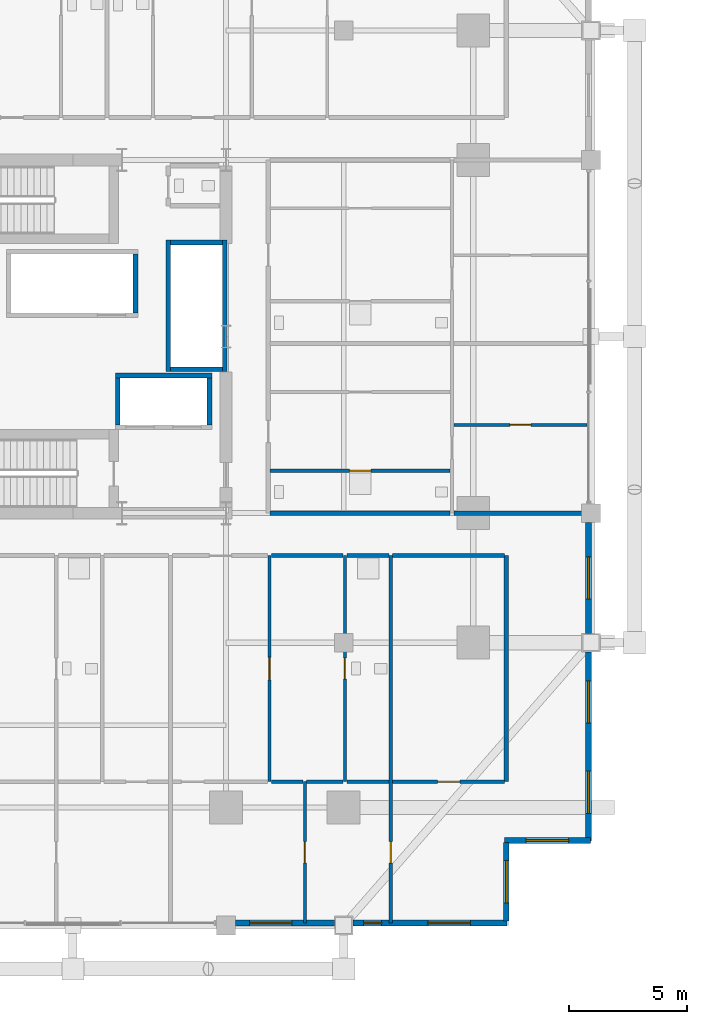
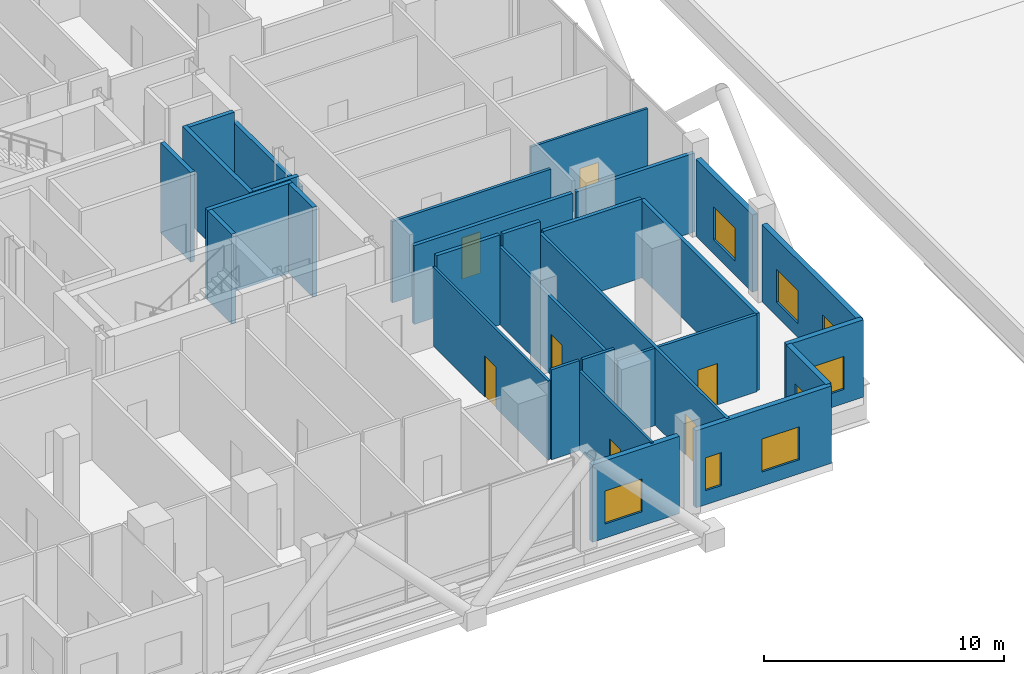
# One storey, part 25 of 33: 30 walls, 8 windows, 7 doors, 15 openings.
"""IFC4 building model written with IfcOpenShell, lengths in metres."""

from ifc_helpers import new_model, si_unit, direction, frame, frame_2d, origin, place, context, subcontext, project, spatial, rectangle, extrude, material, layer, layer_set, type_object, element, fill, save


model = new_model("IFC4")

# Units and contexts
model_context = context("Model", 3, precision=1e-05, world=origin(), true_north=direction((0.0, 1.0)))
body_context = subcontext(model_context, "Body", "Model", "MODEL_VIEW")
ifc_project = project(units=[si_unit("LENGTHUNIT", "METRE"), si_unit("AREAUNIT", "SQUARE_METRE"), si_unit("VOLUMEUNIT", "CUBIC_METRE"), si_unit("PLANEANGLEUNIT", "RADIAN"), si_unit("MASSUNIT", "GRAM", prefix="KILO")], contexts=[model_context])

# Site, building, storey
site_placement = place(None, origin())
site = spatial("IfcSite", under=ifc_project, at=site_placement, CompositionType="ELEMENT")
building_placement = place(site_placement, origin())
building = spatial("IfcBuilding", under=site, at=building_placement, Name="Barlavira Tower and Art Museum", CompositionType="ELEMENT")
storey_placement = place(building_placement, frame((0.0, 0.0, 27.60009765625)))
storey = spatial("IfcBuildingStorey", under=building, at=storey_placement, Name="L05", CompositionType="ELEMENT", Elevation=27.60009765625)

# Wall, opening, door
ifc_material_1 = material(Name="Gypsum acoustic stud partition", Category="gypsum")
ifc_layer_1 = layer(ifc_material_1, 0.1201171875, Name="Gypsum acoustic stud partition")
ifc_layer_set_1 = layer_set([ifc_layer_1], Name="Gypsum acoustic stud partition")
wall_type_1 = type_object("IfcWallType", Name="Apartment Internal Acoustic Partition 120", PredefinedType="PARTITIONING", material=ifc_layer_set_1)
wall_1_placement = place(storey_placement, frame((8.35009765625, -18.89990234375, 0.0), z_axis=(0.0, 0.0, 1.0), x_axis=(0.0, 1.0, 0.0)))
wall_1 = element("IfcWall", 1, at=wall_1_placement, inside=storey, type_object=wall_type_1, Name="L05 Partition Wall 24", PredefinedType="PARTITIONING", context=body_context, shape_type="SweptSolid", body=[
    extrude(rectangle(XDim=9.599853515625, YDim=0.1201171875, at=frame_2d((4.7998046875, 0.0))), origin(), (0.0, 0.0, 1.0), 4.015869140625),
])
opening_1_placement = place(wall_1_placement, frame((4.324951171875, 0.0, 0.0)))
opening_1 = element("IfcOpeningElement", 2, at=opening_1_placement, cuts=wall_1, Name="Opening D-02", PredefinedType="OPENING", context=body_context, shape_type="SweptSolid", body=[
    extrude(rectangle(XDim=0.949951171875, YDim=2.10009765625, at=frame_2d((0.47509765625, 1.050048828125))), frame((0.0, 0.070068359375, 0.0), z_axis=(0.0, -1.0, 0.0), x_axis=(1.0, 0.0, 0.0)), (0.0, 0.0, 1.0), 0.14013671875),
])
ifc_material_2 = material(Name="Engineered coastal hardwood", Category="wood")
door_type_1 = type_object("IfcDoorType", Name="Living and Salon Glazed-Leaf Door 950x2100", OperationType="NOTDEFINED", PredefinedType="DOOR", material=ifc_material_2)
door_1_placement = place(opening_1_placement, origin())
door_1 = element("IfcDoor", 3, at=door_1_placement, inside=storey, type_object=door_type_1, Name="Apartment S3 Kitchen Door", OperationType="SINGLE_SWING_LEFT", OverallHeight=2.10009765625, OverallWidth=0.949951171875, PredefinedType="DOOR", context=body_context, shape_type="SweptSolid", body=[
    extrude(rectangle(XDim=0.949951171875, YDim=2.10009765625, at=frame_2d((0.47509765625, 1.050048828125))), frame((0.0, 0.02490234375, 0.0), z_axis=(0.0, -1.0, 0.0), x_axis=(1.0, 0.0, 0.0)), (0.0, 0.0, 1.0), 0.050048828125),
])
fill(opening_1, door_1)

wall_2_placement = place(storey_placement, frame((9.85009765625, -24.89990234375, 0.0), z_axis=(0.0, 0.0, 1.0), x_axis=(0.0, 1.0, 0.0)))
wall_2 = element("IfcWall", 4, at=wall_2_placement, inside=storey, type_object=wall_type_1, Name="L05 Partition Wall 25", PredefinedType="PARTITIONING", context=body_context, shape_type="SweptSolid", body=[
    extrude(rectangle(XDim=6.0, YDim=0.1201171875, at=frame_2d((3.0, 0.0))), origin(), (0.0, 0.0, 1.0), 4.015869140625),
])
opening_2_placement = place(wall_2_placement, frame((2.550048828125, 0.0, 0.0)))
opening_2 = element("IfcOpeningElement", 5, at=opening_2_placement, cuts=wall_2, Name="Opening D-01", PredefinedType="OPENING", context=body_context, shape_type="SweptSolid", body=[
    extrude(rectangle(XDim=0.89990234375, YDim=2.10009765625, at=frame_2d((0.449951171875, 1.050048828125))), frame((0.0, 0.070068359375, 0.0), z_axis=(0.0, -1.0, 0.0), x_axis=(1.0, 0.0, 0.0)), (0.0, 0.0, 1.0), 0.14013671875),
])
door_type_2 = type_object("IfcDoorType", Name="Internal Bedroom Timber Flush Door 900x2100", OperationType="NOTDEFINED", PredefinedType="DOOR", material=ifc_material_2)
door_2_placement = place(opening_2_placement, origin())
door_2 = element("IfcDoor", 6, at=door_2_placement, inside=storey, type_object=door_type_2, Name="Apartment S3 Bedroom 1 Door", OperationType="SINGLE_SWING_LEFT", OverallHeight=2.10009765625, OverallWidth=0.89990234375, PredefinedType="DOOR", context=body_context, shape_type="SweptSolid", body=[
    extrude(rectangle(XDim=0.89990234375, YDim=2.10009765625, at=frame_2d((0.449951171875, 1.050048828125))), frame((0.0, 0.02490234375, 0.0), z_axis=(0.0, -1.0, 0.0), x_axis=(1.0, 0.0, 0.0)), (0.0, 0.0, 1.0), 0.050048828125),
])
fill(opening_2, door_2)

wall_3_placement = place(storey_placement, frame((16.179931640625, -3.75, 0.0), z_axis=(0.0, 0.0, 1.0), x_axis=(1.0, 0.0, 0.0)))
wall_3 = element("IfcWall", 7, at=wall_3_placement, inside=storey, type_object=wall_type_1, Name="L05 Partition Wall 65", PredefinedType="PARTITIONING", context=body_context, shape_type="SweptSolid", body=[
    extrude(rectangle(XDim=5.64013671875, YDim=0.1201171875, at=frame_2d((2.820068359375, 0.0))), origin(), (0.0, 0.0, 1.0), 4.015869140625),
])
opening_3_placement = place(wall_3_placement, frame((2.3701171875, 0.0, 0.0)))
opening_3 = element("IfcOpeningElement", 8, at=opening_3_placement, cuts=wall_3, Name="Opening D-01", PredefinedType="OPENING", context=body_context, shape_type="SweptSolid", body=[
    extrude(rectangle(XDim=0.89990234375, YDim=2.10009765625, at=frame_2d((0.449951171875, 1.050048828125))), frame((0.0, 0.070068359375, 0.0), z_axis=(0.0, -1.0, 0.0), x_axis=(1.0, 0.0, 0.0)), (0.0, 0.0, 1.0), 0.14013671875),
])
door_3_placement = place(opening_3_placement, origin())
door_3 = element("IfcDoor", 9, at=door_3_placement, inside=storey, type_object=door_type_2, Name="Apartment E1 Bedroom 1 Door", OperationType="SINGLE_SWING_LEFT", OverallHeight=2.10009765625, OverallWidth=0.89990234375, PredefinedType="DOOR", context=body_context, shape_type="SweptSolid", body=[
    extrude(rectangle(XDim=0.89990234375, YDim=2.10009765625, at=frame_2d((0.449951171875, 1.050048828125))), frame((0.0, 0.02490234375, 0.0), z_axis=(0.0, -1.0, 0.0), x_axis=(1.0, 0.0, 0.0)), (0.0, 0.0, 1.0), 0.050048828125),
])
fill(opening_3, door_3)

# Walls
ifc_material_3 = material(Name="Autoclaved aerated concrete masonry", Category="masonry")
ifc_layer_2 = layer(ifc_material_3, 0.199951171875, Name="Autoclaved aerated concrete masonry")
ifc_layer_set_2 = layer_set([ifc_layer_2], Name="Autoclaved aerated concrete masonry")
wall_type_2 = type_object("IfcWallType", Name="Fire Compartment and Shaft Wall 200", PredefinedType="SOLIDWALL", material=ifc_layer_set_2)
wall_4_placement = place(storey_placement, frame((4.050048828125, -1.489990234375, 0.0), z_axis=(0.0, 0.0, 1.0), x_axis=(0.0, 1.0, 0.0)))
element("IfcWall", 10, at=wall_4_placement, inside=storey, type_object=wall_type_2, Name="L05 Mid-Rise Lift Front Shaft Wall", PredefinedType="SOLIDWALL", context=body_context, shape_type="SweptSolid", body=[
    extrude(rectangle(XDim=5.580078125, YDim=0.199951171875, at=frame_2d((2.7900390625, 0.0))), origin(), (0.0, 0.0, 1.0), 4.579833984375),
])
wall_5_placement = place(storey_placement, frame((6.449951171875, -1.489990234375, 0.0), z_axis=(0.0, 0.0, 1.0), x_axis=(0.0, 1.0, 0.0)))
element("IfcWall", 11, at=wall_5_placement, inside=storey, type_object=wall_type_2, Name="L05 Mid-Rise Lift Back Shaft Wall", PredefinedType="SOLIDWALL", context=body_context, shape_type="SweptSolid", body=[
    extrude(rectangle(XDim=5.580078125, YDim=0.199951171875, at=frame_2d((2.7900390625, 0.0))), origin(), (0.0, 0.0, 1.0), 4.015869140625),
])
for number, where, z_axis, x_axis, name in (
    (12, (4.14990234375, -1.389892578125, 0.0), (0.0, 0.0, 1.0), (1.0, 0.0, 0.0), "L05 Mid-Rise Lift South Shaft Wall"),
    (13, (4.14990234375, 3.989990234375, 0.0), (0.0, 0.0, 1.0), (1.0, 0.0, 0.0), "L05 Mid-Rise Lift North Shaft Wall"),
):
    element("IfcWall", number, at=place(storey_placement, frame(where, z_axis=z_axis, x_axis=x_axis)), inside=storey, type_object=wall_type_2, Name=name, PredefinedType="SOLIDWALL", context=body_context, shape_type="SweptSolid", body=[
        extrude(rectangle(XDim=2.2001953125, YDim=0.199951171875, at=frame_2d((1.10009765625, 0.0))), origin(), (0.0, 0.0, 1.0), 4.579833984375),
    ])
wall_6_placement = place(storey_placement, frame((2.659912109375, 1.0, 0.0), z_axis=(0.0, 0.0, 1.0), x_axis=(0.0, 1.0, 0.0)))
element("IfcWall", 14, at=wall_6_placement, inside=storey, type_object=wall_type_2, Name="L05 High-Rise & Service Lift East Wall", PredefinedType="SOLIDWALL", context=body_context, shape_type="SweptSolid", body=[
    extrude(rectangle(XDim=2.5, YDim=0.199951171875, at=frame_2d((1.25, 0.0))), origin(), (0.0, 0.0, 1.0), 4.579833984375),
])
wall_7_placement = place(storey_placement, frame((1.800048828125, -1.64990234375, 0.0), z_axis=(0.0, 0.0, 1.0), x_axis=(1.0, 0.0, 0.0)))
element("IfcWall", 15, at=wall_7_placement, inside=storey, type_object=wall_type_2, Name="L05 Firefighting Lift Back Shaft Wall", PredefinedType="SOLIDWALL", context=body_context, shape_type="SweptSolid", body=[
    extrude(rectangle(XDim=4.099853515625, YDim=0.199951171875, at=frame_2d((2.0498046875, 0.0))), origin(), (0.0, 0.0, 1.0), 4.579833984375),
])
for number, where, z_axis, x_axis, name in (
    (16, (1.89990234375, -3.75, 0.0), (0.0, 0.0, 1.0), (0.0, 1.0, 0.0), "L05 Firefighting Lift West Shaft Wall"),
    (17, (5.800048828125, -3.75, 0.0), (0.0, 0.0, 1.0), (0.0, 1.0, 0.0), "L05 Firefighting Lift East Shaft Wall"),
):
    element("IfcWall", number, at=place(storey_placement, frame(where, z_axis=z_axis, x_axis=x_axis)), inside=storey, type_object=wall_type_2, Name=name, PredefinedType="SOLIDWALL", context=body_context, shape_type="SweptSolid", body=[
        extrude(rectangle(XDim=2.0, YDim=0.199951171875, at=frame_2d((1.0, 0.0))), origin(), (0.0, 0.0, 1.0), 4.579833984375),
    ])
ifc_layer_3 = layer(ifc_material_1, 0.179931640625, Name="Gypsum acoustic stud partition")
ifc_layer_set_3 = layer_set([ifc_layer_3], Name="Gypsum acoustic stud partition")
wall_type_3 = type_object("IfcWallType", Name="Inter-Tenancy Party Partition Wall 180", PredefinedType="PARTITIONING", material=ifc_layer_set_3)
wall_8_placement = place(storey_placement, frame((18.39990234375, -18.89990234375, 0.0), z_axis=(0.0, 0.0, 1.0), x_axis=(0.0, 1.0, 0.0)))
element("IfcWall", 18, at=wall_8_placement, inside=storey, type_object=wall_type_3, Name="L05 Partition Wall 31", PredefinedType="PARTITIONING", context=body_context, shape_type="SweptSolid", body=[
    extrude(rectangle(XDim=9.599853515625, YDim=0.179931640625, at=frame_2d((4.7998046875, 0.0))), origin(), (0.0, 0.0, 1.0), 3.935791015625),
])
wall_9_placement = place(storey_placement, frame((8.429931640625, -9.300048828125, 0.0), z_axis=(0.0, 0.0, 1.0), x_axis=(1.0, 0.0, 0.0)))
element("IfcWall", 19, at=wall_9_placement, inside=storey, type_object=wall_type_3, Name="L05 Partition Wall 55", PredefinedType="PARTITIONING", context=body_context, shape_type="SweptSolid", body=[
    extrude(rectangle(XDim=3.0400390625, YDim=0.179931640625, at=frame_2d((1.52001953125, 0.0))), origin(), (0.0, 0.0, 1.0), 4.579833984375),
])
wall_10_placement = place(storey_placement, frame((11.6298828125, -9.300048828125, 0.0), z_axis=(0.0, 0.0, 1.0), x_axis=(1.0, 0.0, 0.0)))
element("IfcWall", 20, at=wall_10_placement, inside=storey, type_object=wall_type_3, Name="L05 Partition Wall 56", PredefinedType="PARTITIONING", context=body_context, shape_type="SweptSolid", body=[
    extrude(rectangle(XDim=1.7900390625, YDim=0.179931640625, at=frame_2d((0.89501953125, 0.0))), origin(), (0.0, 0.0, 1.0), 4.579833984375),
])
wall_11_placement = place(storey_placement, frame((13.580078125, -9.300048828125, 0.0), z_axis=(0.0, 0.0, 1.0), x_axis=(1.0, 0.0, 0.0)))
element("IfcWall", 21, at=wall_11_placement, inside=storey, type_object=wall_type_3, Name="L05 Partition Wall 57", PredefinedType="PARTITIONING", context=body_context, shape_type="SweptSolid", body=[
    extrude(rectangle(XDim=4.739990234375, YDim=0.179931640625, at=frame_2d((2.3701171875, 0.0))), origin(), (0.0, 0.0, 1.0), 4.015869140625),
])
wall_12_placement = place(storey_placement, frame((8.3798828125, -7.5, 0.0), z_axis=(0.0, 0.0, 1.0), x_axis=(1.0, 0.0, 0.0)))
element("IfcWall", 22, at=wall_12_placement, inside=storey, type_object=wall_type_3, Name="L05 Partition Wall 60", PredefinedType="PARTITIONING", context=body_context, shape_type="SweptSolid", body=[
    extrude(rectangle(XDim=7.64013671875, YDim=0.179931640625, at=frame_2d((3.820068359375, 0.0))), origin(), (0.0, 0.0, 1.0), 4.015869140625),
])
wall_13_placement = place(storey_placement, frame((16.179931640625, -7.5, 0.0), z_axis=(0.0, 0.0, 1.0), x_axis=(1.0, 0.0, 0.0)))
element("IfcWall", 23, at=wall_13_placement, inside=storey, type_object=wall_type_3, Name="L05 Partition Wall 61", PredefinedType="PARTITIONING", context=body_context, shape_type="SweptSolid", body=[
    extrude(rectangle(XDim=5.719970703125, YDim=0.179931640625, at=frame_2d((2.85986328125, 0.0))), origin(), (0.0, 0.0, 1.0), 4.015869140625),
])

# Wall, opening, door
ifc_layer_4 = layer(ifc_material_1, 0.139892578125, Name="Gypsum acoustic stud partition")
ifc_layer_set_4 = layer_set([ifc_layer_4], Name="Gypsum acoustic stud partition")
wall_type_4 = type_object("IfcWallType", Name="Moisture-Resistant Bathroom Partition 140", PredefinedType="PARTITIONING", material=ifc_layer_set_4)
wall_14_placement = place(storey_placement, frame((11.550048828125, -18.89990234375, 0.0), z_axis=(0.0, 0.0, 1.0), x_axis=(0.0, 1.0, 0.0)))
wall_14 = element("IfcWall", 24, at=wall_14_placement, inside=storey, type_object=wall_type_4, Name="L05 Partition Wall 27", PredefinedType="PARTITIONING", context=body_context, shape_type="SweptSolid", body=[
    extrude(rectangle(XDim=9.599853515625, YDim=0.139892578125, at=frame_2d((4.7998046875, 0.0))), origin(), (0.0, 0.0, 1.0), 3.935791015625),
])
opening_4_placement = place(wall_14_placement, frame((4.35009765625, 0.0, 0.0)))
opening_4 = element("IfcOpeningElement", 25, at=opening_4_placement, cuts=wall_14, Name="Opening D-WC", PredefinedType="OPENING", context=body_context, shape_type="SweptSolid", body=[
    extrude(rectangle(XDim=0.89990234375, YDim=2.10009765625, at=frame_2d((0.449951171875, 1.050048828125))), frame((0.0, 0.080078125, 0.0), z_axis=(0.0, -1.0, 0.0), x_axis=(1.0, 0.0, 0.0)), (0.0, 0.0, 1.0), 0.159912109375),
])
door_type_3 = type_object("IfcDoorType", Name="Accessible Bathroom Flush Door 900x2100", OperationType="NOTDEFINED", PredefinedType="DOOR", material=ifc_material_2)
door_4_placement = place(opening_4_placement, origin())
door_4 = element("IfcDoor", 26, at=door_4_placement, inside=storey, type_object=door_type_3, Name="Apartment S3 Hall Bathroom Door", OperationType="SINGLE_SWING_RIGHT", OverallHeight=2.10009765625, OverallWidth=0.89990234375, PredefinedType="DOOR", context=body_context, shape_type="SweptSolid", body=[
    extrude(rectangle(XDim=0.89990234375, YDim=2.10009765625, at=frame_2d((0.449951171875, 1.050048828125))), frame((0.0, 0.02490234375, 0.0), z_axis=(0.0, -1.0, 0.0), x_axis=(1.0, 0.0, 0.0)), (0.0, 0.0, 1.0), 0.050048828125),
])
fill(opening_4, door_4)

wall_15_placement = place(storey_placement, frame((13.5, -24.89990234375, 0.0), z_axis=(0.0, 0.0, 1.0), x_axis=(0.0, 1.0, 0.0)))
wall_15 = element("IfcWall", 27, at=wall_15_placement, inside=storey, type_object=wall_type_4, Name="L05 Partition Wall 29", PredefinedType="PARTITIONING", context=body_context, shape_type="SweptSolid", body=[
    extrude(rectangle(XDim=15.599853515625, YDim=0.139892578125, at=frame_2d((7.7998046875, 0.0))), origin(), (0.0, 0.0, 1.0), 3.935791015625),
])
opening_5_placement = place(wall_15_placement, frame((2.550048828125, 0.0, 0.0)))
opening_5 = element("IfcOpeningElement", 28, at=opening_5_placement, cuts=wall_15, Name="Opening D-01", PredefinedType="OPENING", context=body_context, shape_type="SweptSolid", body=[
    extrude(rectangle(XDim=0.89990234375, YDim=2.10009765625, at=frame_2d((0.449951171875, 1.050048828125))), frame((0.0, 0.080078125, 0.0), z_axis=(0.0, -1.0, 0.0), x_axis=(1.0, 0.0, 0.0)), (0.0, 0.0, 1.0), 0.159912109375),
])
door_5_placement = place(opening_5_placement, origin())
door_5 = element("IfcDoor", 29, at=door_5_placement, inside=storey, type_object=door_type_2, Name="Apartment S3 Bedroom 2 Door", OperationType="SINGLE_SWING_RIGHT", OverallHeight=2.10009765625, OverallWidth=0.89990234375, PredefinedType="DOOR", context=body_context, shape_type="SweptSolid", body=[
    extrude(rectangle(XDim=0.89990234375, YDim=2.10009765625, at=frame_2d((0.449951171875, 1.050048828125))), frame((0.0, 0.02490234375, 0.0), z_axis=(0.0, -1.0, 0.0), x_axis=(1.0, 0.0, 0.0)), (0.0, 0.0, 1.0), 0.050048828125),
])
fill(opening_5, door_5)

# Walls
wall_16_placement = place(storey_placement, frame((8.429931640625, -18.89990234375, 0.0), z_axis=(0.0, 0.0, 1.0), x_axis=(1.0, 0.0, 0.0)))
element("IfcWall", 30, at=wall_16_placement, inside=storey, type_object=wall_type_4, Name="L05 Partition Wall 43", PredefinedType="PARTITIONING", context=body_context, shape_type="SweptSolid", body=[
    extrude(rectangle(XDim=1.340087890625, YDim=0.139892578125, at=frame_2d((0.669921875, 0.0))), origin(), (0.0, 0.0, 1.0), 4.579833984375),
])
wall_17_placement = place(storey_placement, frame((9.929931640625, -18.89990234375, 0.0), z_axis=(0.0, 0.0, 1.0), x_axis=(1.0, 0.0, 0.0)))
element("IfcWall", 31, at=wall_17_placement, inside=storey, type_object=wall_type_4, Name="L05 Partition Wall 44", PredefinedType="PARTITIONING", context=body_context, shape_type="SweptSolid", body=[
    extrude(rectangle(XDim=1.5400390625, YDim=0.139892578125, at=frame_2d((0.77001953125, 0.0))), origin(), (0.0, 0.0, 1.0), 4.579833984375),
])
wall_18_placement = place(storey_placement, frame((11.6298828125, -18.89990234375, 0.0), z_axis=(0.0, 0.0, 1.0), x_axis=(1.0, 0.0, 0.0)))
element("IfcWall", 32, at=wall_18_placement, inside=storey, type_object=wall_type_4, Name="L05 Partition Wall 45", PredefinedType="PARTITIONING", context=body_context, shape_type="SweptSolid", body=[
    extrude(rectangle(XDim=1.7900390625, YDim=0.139892578125, at=frame_2d((0.89501953125, 0.0))), origin(), (0.0, 0.0, 1.0), 3.935791015625),
])

# Wall, opening, door
wall_19_placement = place(storey_placement, frame((13.580078125, -18.89990234375, 0.0), z_axis=(0.0, 0.0, 1.0), x_axis=(1.0, 0.0, 0.0)))
wall_19 = element("IfcWall", 33, at=wall_19_placement, inside=storey, type_object=wall_type_4, Name="L05 Partition Wall 46", PredefinedType="PARTITIONING", context=body_context, shape_type="SweptSolid", body=[
    extrude(rectangle(XDim=4.739990234375, YDim=0.139892578125, at=frame_2d((2.3701171875, 0.0))), origin(), (0.0, 0.0, 1.0), 3.935791015625),
])
opening_6_placement = place(wall_19_placement, frame((1.905029296875, 0.0, 0.0)))
opening_6 = element("IfcOpeningElement", 34, at=opening_6_placement, cuts=wall_19, Name="Opening D-02", PredefinedType="OPENING", context=body_context, shape_type="SweptSolid", body=[
    extrude(rectangle(XDim=0.949951171875, YDim=2.10009765625, at=frame_2d((0.47509765625, 1.050048828125))), frame((0.0, 0.080078125, 0.0), z_axis=(0.0, -1.0, 0.0), x_axis=(1.0, 0.0, 0.0)), (0.0, 0.0, 1.0), 0.159912109375),
])
door_6_placement = place(opening_6_placement, origin())
door_6 = element("IfcDoor", 35, at=door_6_placement, inside=storey, type_object=door_type_1, Name="Apartment S3 Dining Salon Door", OperationType="SINGLE_SWING_LEFT", OverallHeight=2.10009765625, OverallWidth=0.949951171875, PredefinedType="DOOR", context=body_context, shape_type="SweptSolid", body=[
    extrude(rectangle(XDim=0.949951171875, YDim=2.10009765625, at=frame_2d((0.47509765625, 1.050048828125))), frame((0.0, 0.02490234375, 0.0), z_axis=(0.0, -1.0, 0.0), x_axis=(1.0, 0.0, 0.0)), (0.0, 0.0, 1.0), 0.050048828125),
])
fill(opening_6, door_6)

wall_20_placement = place(storey_placement, frame((8.3798828125, -5.699951171875, 0.0), z_axis=(0.0, 0.0, 1.0), x_axis=(1.0, 0.0, 0.0)))
wall_20 = element("IfcWall", 36, at=wall_20_placement, inside=storey, type_object=wall_type_4, Name="L05 Partition Wall 63", PredefinedType="PARTITIONING", context=body_context, shape_type="SweptSolid", body=[
    extrude(rectangle(XDim=7.64013671875, YDim=0.139892578125, at=frame_2d((3.820068359375, 0.0))), origin(), (0.0, 0.0, 1.0), 4.14794921875),
])
opening_7_placement = place(wall_20_placement, frame((3.3701171875, 0.0, 0.0)))
opening_7 = element("IfcOpeningElement", 37, at=opening_7_placement, cuts=wall_20, Name="Opening D-WC", PredefinedType="OPENING", context=body_context, shape_type="SweptSolid", body=[
    extrude(rectangle(XDim=0.89990234375, YDim=2.10009765625, at=frame_2d((0.449951171875, 1.050048828125))), frame((0.0, 0.080078125, 0.0), z_axis=(0.0, -1.0, 0.0), x_axis=(1.0, 0.0, 0.0)), (0.0, 0.0, 1.0), 0.159912109375),
])
door_7_placement = place(opening_7_placement, origin())
door_7 = element("IfcDoor", 38, at=door_7_placement, inside=storey, type_object=door_type_3, Name="Apartment E1 Hall Bathroom Door", OperationType="SINGLE_SWING_LEFT", OverallHeight=2.10009765625, OverallWidth=0.89990234375, PredefinedType="DOOR", context=body_context, shape_type="SweptSolid", body=[
    extrude(rectangle(XDim=0.89990234375, YDim=2.10009765625, at=frame_2d((0.449951171875, 1.050048828125))), frame((0.0, 0.02490234375, 0.0), z_axis=(0.0, -1.0, 0.0), x_axis=(1.0, 0.0, 0.0)), (0.0, 0.0, 1.0), 0.050048828125),
])
fill(opening_7, door_7)

# Wall, opening, window
ifc_material_4 = material(Name="Precast concrete C40", Category="concrete")
ifc_layer_5 = layer(ifc_material_4, 0.25, Name="Precast concrete C40")
ifc_layer_set_5 = layer_set([ifc_layer_5], Name="Precast concrete C40")
wall_type_5 = type_object("IfcWallType", Name="Notched Corner Spandrel Wall 250 Precast Concrete C40", PredefinedType="SOLIDWALL", material=ifc_layer_set_5)
wall_21_placement = place(storey_placement, frame((6.89501953125, -24.89990234375, 0.0), z_axis=(0.0, 0.0, 1.0), x_axis=(1.0, 0.0, 0.0)))
wall_21 = element("IfcWall", 39, at=wall_21_placement, inside=storey, type_object=wall_type_5, Name="L05 Coastal Facade Pier Wall CW1-L05-S-4", PredefinedType="SOLIDWALL", context=body_context, shape_type="SweptSolid", body=[
    extrude(rectangle(XDim=4.2099609375, YDim=0.25, at=frame_2d((2.10498046875, 0.0))), origin(), (0.0, 0.0, 1.0), 3.935791015625),
])
opening_8_placement = place(wall_21_placement, frame((0.60498046875, 0.0, 0.719970703125)))
opening_8 = element("IfcOpeningElement", 40, at=opening_8_placement, cuts=wall_21, Name="Opening WN-01", PredefinedType="OPENING", context=body_context, shape_type="SweptSolid", body=[
    extrude(rectangle(XDim=1.800048828125, YDim=1.679931640625, at=frame_2d((0.89990234375, 0.83984375))), frame((0.0, 0.135009765625, 0.0), z_axis=(0.0, -1.0, 0.0), x_axis=(1.0, 0.0, 0.0)), (0.0, 0.0, 1.0), 0.27001953125),
])
ifc_material_5 = material(Name="Low-iron coastal laminated glass", Category="glass")
window_type_1 = type_object("IfcWindowType", Name="Recessed Notch Corner Punch Window 1800x1680", PartitioningType="SINGLE_PANEL", PredefinedType="WINDOW", material=ifc_material_5)
window_1_placement = place(opening_8_placement, origin())
window_1 = element("IfcWindow", 41, at=window_1_placement, inside=storey, type_object=window_type_1, Name="L05 Punched Facade Window EWP-CW1-L05-S-4-1", OverallHeight=1.679931640625, OverallWidth=1.800048828125, PartitioningType="SINGLE_PANEL", PredefinedType="WINDOW", context=body_context, shape_type="SweptSolid", body=[
    extrude(rectangle(XDim=1.800048828125, YDim=1.679931640625, at=frame_2d((0.89990234375, 0.83984375))), frame((0.0, 0.030029296875, 0.0), z_axis=(0.0, -1.0, 0.0), x_axis=(1.0, 0.0, 0.0)), (0.0, 0.0, 1.0), 0.06005859375),
])
fill(opening_8, window_1)

# Wall, openings, windows
wall_22_placement = place(storey_placement, frame((11.89501953125, -24.89990234375, 0.0), z_axis=(0.0, 0.0, 1.0), x_axis=(1.0, 0.0, 0.0)))
wall_22 = element("IfcWall", 42, at=wall_22_placement, inside=storey, type_object=wall_type_5, Name="L05 Coastal Facade Pier Wall CW1-L05-S-5", PredefinedType="SOLIDWALL", context=body_context, shape_type="SweptSolid", body=[
    extrude(rectangle(XDim=6.530029296875, YDim=0.25, at=frame_2d((3.26513671875, 0.0))), origin(), (0.0, 0.0, 1.0), 3.935791015625),
])
opening_9_placement = place(wall_22_placement, frame((0.455078125, 0.0, 0.719970703125)))
opening_9 = element("IfcOpeningElement", 43, at=opening_9_placement, cuts=wall_22, Name="Opening WN-06", PredefinedType="OPENING", context=body_context, shape_type="SweptSolid", body=[
    extrude(rectangle(XDim=0.760009765625, YDim=1.679931640625, at=frame_2d((0.3798828125, 0.83984375))), frame((0.0, 0.135009765625, 0.0), z_axis=(0.0, -1.0, 0.0), x_axis=(1.0, 0.0, 0.0)), (0.0, 0.0, 1.0), 0.27001953125),
])
opening_10_placement = place(wall_22_placement, frame((3.177978515625, 0.0, 0.719970703125)))
opening_10 = element("IfcOpeningElement", 44, at=opening_10_placement, cuts=wall_22, Name="Opening WN-01", PredefinedType="OPENING", context=body_context, shape_type="SweptSolid", body=[
    extrude(rectangle(XDim=1.800048828125, YDim=1.679931640625, at=frame_2d((0.89990234375, 0.83984375))), frame((0.0, 0.135009765625, 0.0), z_axis=(0.0, -1.0, 0.0), x_axis=(1.0, 0.0, 0.0)), (0.0, 0.0, 1.0), 0.27001953125),
])
window_type_2 = type_object("IfcWindowType", Name="Recessed Narrow Pier Window 760x1680", PartitioningType="SINGLE_PANEL", PredefinedType="WINDOW", material=ifc_material_5)
window_2_placement = place(opening_9_placement, origin())
window_2 = element("IfcWindow", 45, at=window_2_placement, inside=storey, type_object=window_type_2, Name="L05 Punched Facade Window EWP-CW1-L05-S-5-1", OverallHeight=1.679931640625, OverallWidth=0.760009765625, PartitioningType="SINGLE_PANEL", PredefinedType="WINDOW", context=body_context, shape_type="SweptSolid", body=[
    extrude(rectangle(XDim=0.760009765625, YDim=1.679931640625, at=frame_2d((0.3798828125, 0.83984375))), frame((0.0, 0.030029296875, 0.0), z_axis=(0.0, -1.0, 0.0), x_axis=(1.0, 0.0, 0.0)), (0.0, 0.0, 1.0), 0.06005859375),
])
fill(opening_9, window_2)
window_3_placement = place(opening_10_placement, origin())
window_3 = element("IfcWindow", 46, at=window_3_placement, inside=storey, type_object=window_type_1, Name="L05 Punched Facade Window EWP-CW1-L05-S-5-2", OverallHeight=1.679931640625, OverallWidth=1.800048828125, PartitioningType="SINGLE_PANEL", PredefinedType="WINDOW", context=body_context, shape_type="SweptSolid", body=[
    extrude(rectangle(XDim=1.800048828125, YDim=1.679931640625, at=frame_2d((0.89990234375, 0.83984375))), frame((0.0, 0.030029296875, 0.0), z_axis=(0.0, -1.0, 0.0), x_axis=(1.0, 0.0, 0.0)), (0.0, 0.0, 1.0), 0.06005859375),
])
fill(opening_10, window_3)

wall_23_placement = place(storey_placement, frame((21.89990234375, -21.425048828125, 0.0), z_axis=(0.0, 0.0, 1.0), x_axis=(0.0, 1.0, 0.0)))
wall_23 = element("IfcWall", 47, at=wall_23_placement, inside=storey, type_object=wall_type_5, Name="L05 Coastal Facade Pier Wall CW1-L05-E-1", PredefinedType="SOLIDWALL", context=body_context, shape_type="SweptSolid", body=[
    extrude(rectangle(XDim=8.030029296875, YDim=0.25, at=frame_2d((4.01513671875, 0.0))), origin(), (0.0, 0.0, 1.0), 3.935791015625),
])
opening_11_placement = place(wall_23_placement, frame((1.176025390625, 0.0, 0.719970703125)))
opening_11 = element("IfcOpeningElement", 48, at=opening_11_placement, cuts=wall_23, Name="Opening WN-01", PredefinedType="OPENING", context=body_context, shape_type="SweptSolid", body=[
    extrude(rectangle(XDim=1.800048828125, YDim=1.679931640625, at=frame_2d((0.89990234375, 0.83984375))), frame((0.0, 0.135009765625, 0.0), z_axis=(0.0, -1.0, 0.0), x_axis=(1.0, 0.0, 0.0)), (0.0, 0.0, 1.0), 0.27001953125),
])
opening_12_placement = place(wall_23_placement, frame((5.009033203125, 0.0, 0.719970703125)))
opening_12 = element("IfcOpeningElement", 49, at=opening_12_placement, cuts=wall_23, Name="Opening WN-01", PredefinedType="OPENING", context=body_context, shape_type="SweptSolid", body=[
    extrude(rectangle(XDim=1.800048828125, YDim=1.679931640625, at=frame_2d((0.89990234375, 0.83984375))), frame((0.0, 0.135009765625, 0.0), z_axis=(0.0, -1.0, 0.0), x_axis=(1.0, 0.0, 0.0)), (0.0, 0.0, 1.0), 0.27001953125),
])
window_4_placement = place(opening_11_placement, origin())
window_4 = element("IfcWindow", 50, at=window_4_placement, inside=storey, type_object=window_type_1, Name="L05 Punched Facade Window EWP-CW1-L05-E-1-1", OverallHeight=1.679931640625, OverallWidth=1.800048828125, PartitioningType="SINGLE_PANEL", PredefinedType="WINDOW", context=body_context, shape_type="SweptSolid", body=[
    extrude(rectangle(XDim=1.800048828125, YDim=1.679931640625, at=frame_2d((0.89990234375, 0.83984375))), frame((0.0, 0.030029296875, 0.0), z_axis=(0.0, -1.0, 0.0), x_axis=(1.0, 0.0, 0.0)), (0.0, 0.0, 1.0), 0.06005859375),
])
fill(opening_11, window_4)
window_5_placement = place(opening_12_placement, origin())
window_5 = element("IfcWindow", 51, at=window_5_placement, inside=storey, type_object=window_type_1, Name="L05 Punched Facade Window EWP-CW1-L05-E-1-2", OverallHeight=1.679931640625, OverallWidth=1.800048828125, PartitioningType="SINGLE_PANEL", PredefinedType="WINDOW", context=body_context, shape_type="SweptSolid", body=[
    extrude(rectangle(XDim=1.800048828125, YDim=1.679931640625, at=frame_2d((0.89990234375, 0.83984375))), frame((0.0, 0.030029296875, 0.0), z_axis=(0.0, -1.0, 0.0), x_axis=(1.0, 0.0, 0.0)), (0.0, 0.0, 1.0), 0.06005859375),
])
fill(opening_12, window_5)

# Wall, opening, window
wall_24_placement = place(storey_placement, frame((21.89990234375, -12.60498046875, 0.0), z_axis=(0.0, 0.0, 1.0), x_axis=(0.0, 1.0, 0.0)))
wall_24 = element("IfcWall", 52, at=wall_24_placement, inside=storey, type_object=wall_type_5, Name="L05 Coastal Facade Pier Wall CW1-L05-E-2", PredefinedType="SOLIDWALL", context=body_context, shape_type="SweptSolid", body=[
    extrude(rectangle(XDim=4.7099609375, YDim=0.25, at=frame_2d((2.35498046875, 0.0))), origin(), (0.0, 0.0, 1.0), 3.935791015625),
])
opening_13_placement = place(wall_24_placement, frame((1.455078125, 0.0, 0.719970703125)))
opening_13 = element("IfcOpeningElement", 53, at=opening_13_placement, cuts=wall_24, Name="Opening WN-01", PredefinedType="OPENING", context=body_context, shape_type="SweptSolid", body=[
    extrude(rectangle(XDim=1.800048828125, YDim=1.679931640625, at=frame_2d((0.89990234375, 0.83984375))), frame((0.0, 0.135009765625, 0.0), z_axis=(0.0, -1.0, 0.0), x_axis=(1.0, 0.0, 0.0)), (0.0, 0.0, 1.0), 0.27001953125),
])
window_6_placement = place(opening_13_placement, origin())
window_6 = element("IfcWindow", 54, at=window_6_placement, inside=storey, type_object=window_type_1, Name="L05 Punched Facade Window EWP-CW1-L05-E-2-1", OverallHeight=1.679931640625, OverallWidth=1.800048828125, PartitioningType="SINGLE_PANEL", PredefinedType="WINDOW", context=body_context, shape_type="SweptSolid", body=[
    extrude(rectangle(XDim=1.800048828125, YDim=1.679931640625, at=frame_2d((0.89990234375, 0.83984375))), frame((0.0, 0.030029296875, 0.0), z_axis=(0.0, -1.0, 0.0), x_axis=(1.0, 0.0, 0.0)), (0.0, 0.0, 1.0), 0.06005859375),
])
fill(opening_13, window_6)

wall_25_placement = place(storey_placement, frame((18.39990234375, -24.820068359375, 0.0), z_axis=(0.0, 0.0, 1.0), x_axis=(0.0, 1.0, 0.0)))
wall_25 = element("IfcWall", 55, at=wall_25_placement, inside=storey, type_object=wall_type_5, Name="L05 Notch Corner Wall SE1", PredefinedType="SOLIDWALL", context=body_context, shape_type="SweptSolid", body=[
    extrude(rectangle(XDim=3.340087890625, YDim=0.25, at=frame_2d((1.669921875, 0.0))), origin(), (0.0, 0.0, 1.0), 3.935791015625),
])
opening_14_placement = place(wall_25_placement, frame((0.77001953125, 0.0, 0.719970703125)))
opening_14 = element("IfcOpeningElement", 56, at=opening_14_placement, cuts=wall_25, Name="Opening WN-01", PredefinedType="OPENING", context=body_context, shape_type="SweptSolid", body=[
    extrude(rectangle(XDim=1.800048828125, YDim=1.679931640625, at=frame_2d((0.89990234375, 0.83984375))), frame((0.0, 0.135009765625, 0.0), z_axis=(0.0, -1.0, 0.0), x_axis=(1.0, 0.0, 0.0)), (0.0, 0.0, 1.0), 0.27001953125),
])
window_7_placement = place(opening_14_placement, origin())
window_7 = element("IfcWindow", 57, at=window_7_placement, inside=storey, type_object=window_type_1, Name="L05 Punched Facade Window EW-NTC-L05-SE1-1", OverallHeight=1.679931640625, OverallWidth=1.800048828125, PartitioningType="SINGLE_PANEL", PredefinedType="WINDOW", context=body_context, shape_type="SweptSolid", body=[
    extrude(rectangle(XDim=1.800048828125, YDim=1.679931640625, at=frame_2d((0.89990234375, 0.83984375))), frame((0.0, 0.030029296875, 0.0), z_axis=(0.0, -1.0, 0.0), x_axis=(1.0, 0.0, 0.0)), (0.0, 0.0, 1.0), 0.06005859375),
])
fill(opening_14, window_7)

wall_26_placement = place(storey_placement, frame((18.320068359375, -21.39990234375, 0.0), z_axis=(0.0, 0.0, 1.0), x_axis=(1.0, 0.0, 0.0)))
wall_26 = element("IfcWall", 58, at=wall_26_placement, inside=storey, type_object=wall_type_5, Name="L05 Notch Corner Wall SE2", PredefinedType="SOLIDWALL", context=body_context, shape_type="SweptSolid", body=[
    extrude(rectangle(XDim=3.659912109375, YDim=0.25, at=frame_2d((1.830078125, 0.0))), origin(), (0.0, 0.0, 1.0), 3.935791015625),
])
opening_15_placement = place(wall_26_placement, frame((0.929931640625, 0.0, 0.719970703125)))
opening_15 = element("IfcOpeningElement", 59, at=opening_15_placement, cuts=wall_26, Name="Opening WN-01", PredefinedType="OPENING", context=body_context, shape_type="SweptSolid", body=[
    extrude(rectangle(XDim=1.800048828125, YDim=1.679931640625, at=frame_2d((0.89990234375, 0.83984375))), frame((0.0, 0.135009765625, 0.0), z_axis=(0.0, -1.0, 0.0), x_axis=(1.0, 0.0, 0.0)), (0.0, 0.0, 1.0), 0.27001953125),
])
window_8_placement = place(opening_15_placement, origin())
window_8 = element("IfcWindow", 60, at=window_8_placement, inside=storey, type_object=window_type_1, Name="L05 Punched Facade Window EW-NTC-L05-SE2-1", OverallHeight=1.679931640625, OverallWidth=1.800048828125, PartitioningType="SINGLE_PANEL", PredefinedType="WINDOW", context=body_context, shape_type="SweptSolid", body=[
    extrude(rectangle(XDim=1.800048828125, YDim=1.679931640625, at=frame_2d((0.89990234375, 0.83984375))), frame((0.0, 0.030029296875, 0.0), z_axis=(0.0, -1.0, 0.0), x_axis=(1.0, 0.0, 0.0)), (0.0, 0.0, 1.0), 0.06005859375),
])
fill(opening_15, window_8)

save(model, "model.ifc")
